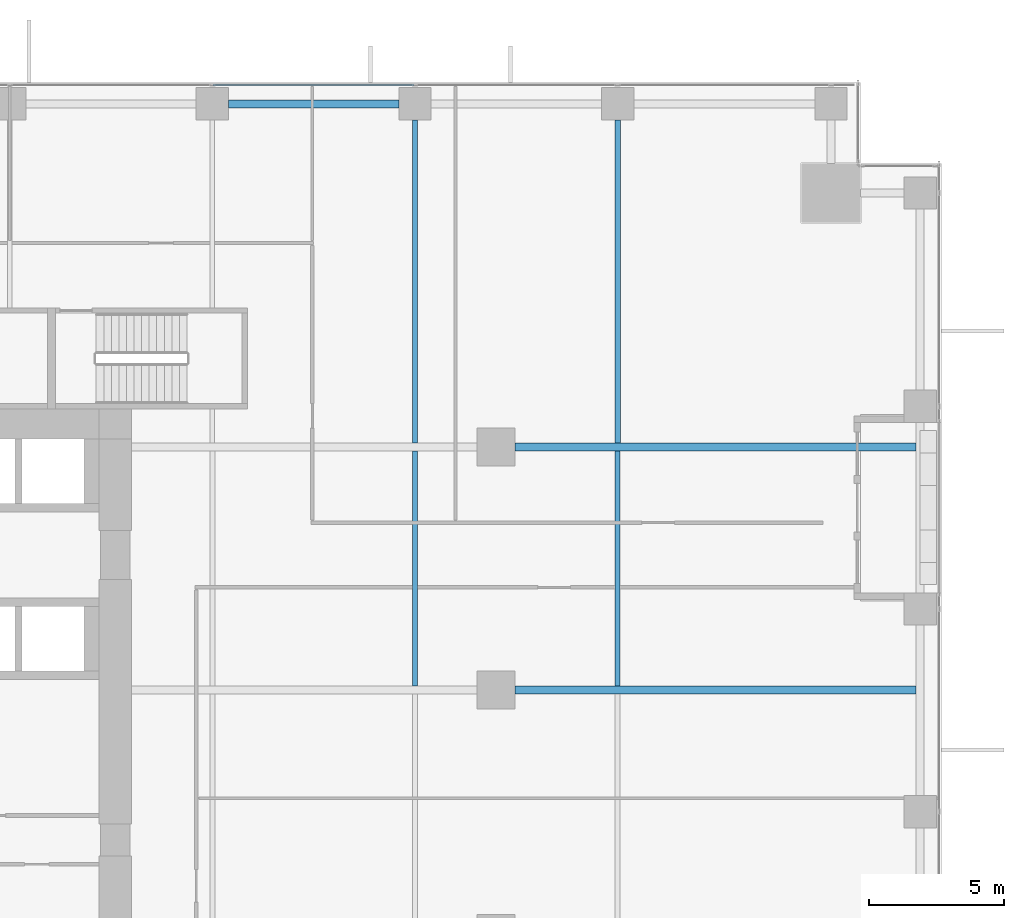
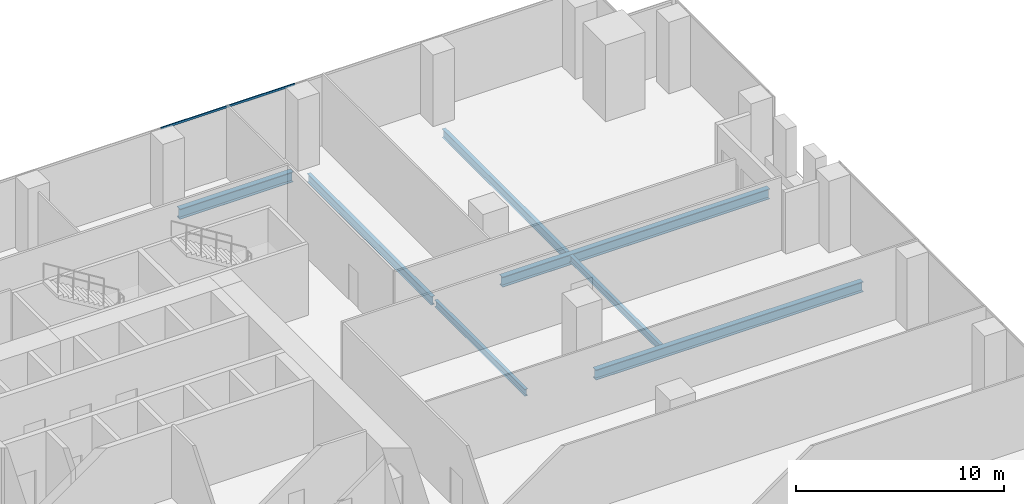
# One storey, part 16 of 32: 7 beams, 1 member, 1 element without a shape of its own.
"""IFC4 building model written with IfcOpenShell, lengths in metres."""

from ifc_helpers import new_model, si_unit, direction, frame, origin, origin_2d, place, context, subcontext, project, spatial, hollow_rectangle, i_section, extrude, source, transform, mapped, material, material_profile, profile_set, type_object, element, aggregate, save


model = new_model("IFC4")

# Units and contexts
model_context = context("Model", 3, precision=1e-05, world=origin(), true_north=direction((0.0, 1.0)))
body_context = subcontext(model_context, "Body", "Model", "MODEL_VIEW")
ifc_project = project(units=[si_unit("LENGTHUNIT", "METRE"), si_unit("AREAUNIT", "SQUARE_METRE"), si_unit("VOLUMEUNIT", "CUBIC_METRE"), si_unit("PLANEANGLEUNIT", "RADIAN"), si_unit("MASSUNIT", "GRAM", prefix="KILO")], contexts=[model_context])

# Site, building, storey
site_placement = place(None, origin())
site = spatial("IfcSite", under=ifc_project, at=site_placement, CompositionType="ELEMENT")
building_placement = place(site_placement, origin())
building = spatial("IfcBuilding", under=site, at=building_placement, Name="Khomas Fold Tower", CompositionType="ELEMENT")
storey_placement = place(building_placement, frame((0.0, 0.0, 64.5)))
storey = spatial("IfcBuildingStorey", under=building, at=storey_placement, Name="L13", CompositionType="ELEMENT", Elevation=64.5)

# Beams
ifc_material_1 = material(Name="Steel S355", Category="steel")
ifc_material_profile_1 = material_profile(ifc_material_1, i_section(OverallWidth=0.179931640625, OverallDepth=0.39990234375, WebThickness=0.008544921875, FlangeThickness=0.013427734375, at=origin_2d()), Name="IPE 400")
ifc_profile_set_1 = profile_set([ifc_material_profile_1], Name="Steel S355")
beam_type_1 = type_object("IfcBeamType", Name="IPE 400 beam JB3", PredefinedType="BEAM", material=ifc_profile_set_1)
shared_shape_1 = source(origin(), body_context, "Body", "SweptSolid", [
    extrude(i_section(OverallWidth=0.179931640625, OverallDepth=0.39990234375, WebThickness=0.008544921875, FlangeThickness=0.013427734375, at=origin_2d()), origin(), (0.0, 0.0, 1.0), 8.7001953125),
])
for number, where, z_axis, x_axis, name in (
    (1, (34.5, 31.64990234375, -0.5), (0.0, 1.0, 0.0), (-1.0, 0.0, 0.0), "JB3"),
    (2, (42.0, 31.64990234375, -0.5), (0.0, 1.0, 0.0), (-1.0, 0.0, 0.0), "JB3"),
):
    element("IfcBeam", number, at=place(storey_placement, frame(where, z_axis=z_axis, x_axis=x_axis)), inside=storey, type_object=beam_type_1, Name=name, PredefinedType="BEAM", context=body_context, shape_type="MappedRepresentation", body=[
        mapped(shared_shape_1, transform((0.0, 0.0, 0.0))),
    ])
ifc_material_2 = material(Name="Steel S355", Category="steel")
ifc_material_profile_2 = material_profile(ifc_material_2, i_section(OverallWidth=0.300048828125, OverallDepth=0.60009765625, WebThickness=0.015380859375, FlangeThickness=0.030029296875, at=origin_2d()), Name="HE 600 B")
ifc_profile_set_2 = profile_set([ifc_material_profile_2], Name="Steel S355")
beam_type_2 = type_object("IfcBeamType", Name="HE 600 B spandrel SB1", PredefinedType="SPANDREL", material=ifc_profile_set_2)
shared_shape_2 = source(origin(), body_context, "Body", "SweptSolid", [
    extrude(i_section(OverallWidth=0.300048828125, OverallDepth=0.60009765625, WebThickness=0.015380859375, FlangeThickness=0.030029296875, at=origin_2d()), origin(), (0.0, 0.0, 1.0), 6.2998046875),
])
beam_placement = place(storey_placement, frame((27.60009765625, 53.199951171875, -0.60009765625), z_axis=(1.0, 0.0, 0.0), x_axis=(0.0, 1.0, 0.0)))
element("IfcBeam", 3, at=beam_placement, inside=storey, type_object=beam_type_2, Name="SB1", PredefinedType="SPANDREL", context=body_context, shape_type="MappedRepresentation", body=[
    mapped(shared_shape_2, transform((0.0, 0.0, 0.0))),
])
ifc_material_3 = material(Name="Steel S355", Category="steel")
ifc_material_profile_3 = material_profile(ifc_material_3, i_section(OverallWidth=0.300048828125, OverallDepth=0.60009765625, WebThickness=0.015380859375, FlangeThickness=0.030029296875, at=origin_2d()), Name="HE 600 B")
ifc_profile_set_3 = profile_set([ifc_material_profile_3], Name="Steel S355")
beam_type_3 = type_object("IfcBeamType", Name="HE 600 B beam GB5", PredefinedType="BEAM", material=ifc_profile_set_3)
shared_shape_3 = source(origin(), body_context, "Body", "SweptSolid", [
    extrude(i_section(OverallWidth=0.300048828125, OverallDepth=0.60009765625, WebThickness=0.015380859375, FlangeThickness=0.030029296875, at=origin_2d()), origin(), (0.0, 0.0, 1.0), 14.85009765625),
])
for number, where, z_axis, x_axis, name in (
    (4, (38.199951171875, 31.5, -0.60009765625), (1.0, 0.0, 0.0), (0.0, 1.0, 0.0), "GB5"),
    (5, (38.199951171875, 40.5, -0.60009765625), (1.0, 0.0, 0.0), (0.0, 1.0, 0.0), "GB5"),
):
    element("IfcBeam", number, at=place(storey_placement, frame(where, z_axis=z_axis, x_axis=x_axis)), inside=storey, type_object=beam_type_3, Name=name, PredefinedType="BEAM", context=body_context, shape_type="MappedRepresentation", body=[
        mapped(shared_shape_3, transform((0.0, 0.0, 0.0))),
    ])
ifc_material_4 = material(Name="Steel S355", Category="steel")
ifc_material_profile_4 = material_profile(ifc_material_4, i_section(OverallWidth=0.199951171875, OverallDepth=0.5, WebThickness=0.01025390625, FlangeThickness=0.01611328125, at=origin_2d()), Name="IPE 500")
ifc_profile_set_4 = profile_set([ifc_material_profile_4], Name="Steel S355")
beam_type_4 = type_object("IfcBeamType", Name="IPE 500 beam JB5", PredefinedType="BEAM", material=ifc_profile_set_4)
shared_shape_4 = source(origin(), body_context, "Body", "SweptSolid", [
    extrude(i_section(OverallWidth=0.199951171875, OverallDepth=0.5, WebThickness=0.01025390625, FlangeThickness=0.01611328125, at=origin_2d()), origin(), (0.0, 0.0, 1.0), 11.9501953125),
])
for number, where, z_axis, x_axis, name in (
    (6, (34.5, 40.64990234375, -0.550048828125), (0.0, 1.0, 0.0), (-1.0, 0.0, 0.0), "JB5"),
    (7, (42.0, 40.64990234375, -0.550048828125), (0.0, 1.0, 0.0), (-1.0, 0.0, 0.0), "JB5"),
):
    element("IfcBeam", number, at=place(storey_placement, frame(where, z_axis=z_axis, x_axis=x_axis)), inside=storey, type_object=beam_type_4, Name=name, PredefinedType="BEAM", context=body_context, shape_type="MappedRepresentation", body=[
        mapped(shared_shape_4, transform((0.0, 0.0, 0.0))),
    ])

# Curtain wall, member
ifc_material_5 = material(Name="Aluminium framed double glazing", Category="aluminium")
curtain_wall_type = type_object("IfcCurtainWallType", Name="SK-Unitised clear-glass wall, growing floors CW1", PredefinedType="NOTDEFINED", material=ifc_material_5)
curtain_wall_placement = place(storey_placement, origin())
curtain_wall = element("IfcCurtainWall", 8, at=curtain_wall_placement, inside=storey, type_object=curtain_wall_type, Name="CW1 run L13 06-0", PredefinedType="NOTDEFINED")
ifc_material_6 = material(Name="Aluminium", Category="aluminium")
ifc_material_profile_5 = material_profile(ifc_material_6, hollow_rectangle(XDim=0.06005859375, YDim=0.1201171875, WallThickness=0.00390625, at=origin_2d()), Name="SK-Unitised clear-glass wall, growing floors transom CW1-T")
ifc_profile_set_5 = profile_set([ifc_material_profile_5], Name="Aluminium")
member_type = type_object("IfcMemberType", Name="SK-Unitised clear-glass wall, growing floors transom CW1-T", PredefinedType="USERDEFINED", material=ifc_profile_set_5)
shared_shape_5 = source(origin(), body_context, "Body", "SweptSolid", [
    extrude(hollow_rectangle(XDim=0.06005859375, YDim=0.1201171875, WallThickness=0.00390625, at=origin_2d()), origin(), (0.0, 0.0, 1.0), 7.43994140625),
])
member_placement = place(storey_placement, frame((34.469970703125, 53.89990234375, 4.139892578125), z_axis=(-1.0, 0.0, 0.0), x_axis=(0.0, -1.0, 0.0)))
member = element("IfcMember", 9, at=member_placement, type_object=member_type, Name="CW1 transom 4", ObjectType="TRANSOM", PredefinedType="USERDEFINED", context=body_context, shape_type="MappedRepresentation", body=[
    mapped(shared_shape_5, transform((0.0, 0.0, 0.0))),
])
aggregate(curtain_wall, [member])

save(model, "model.ifc")
